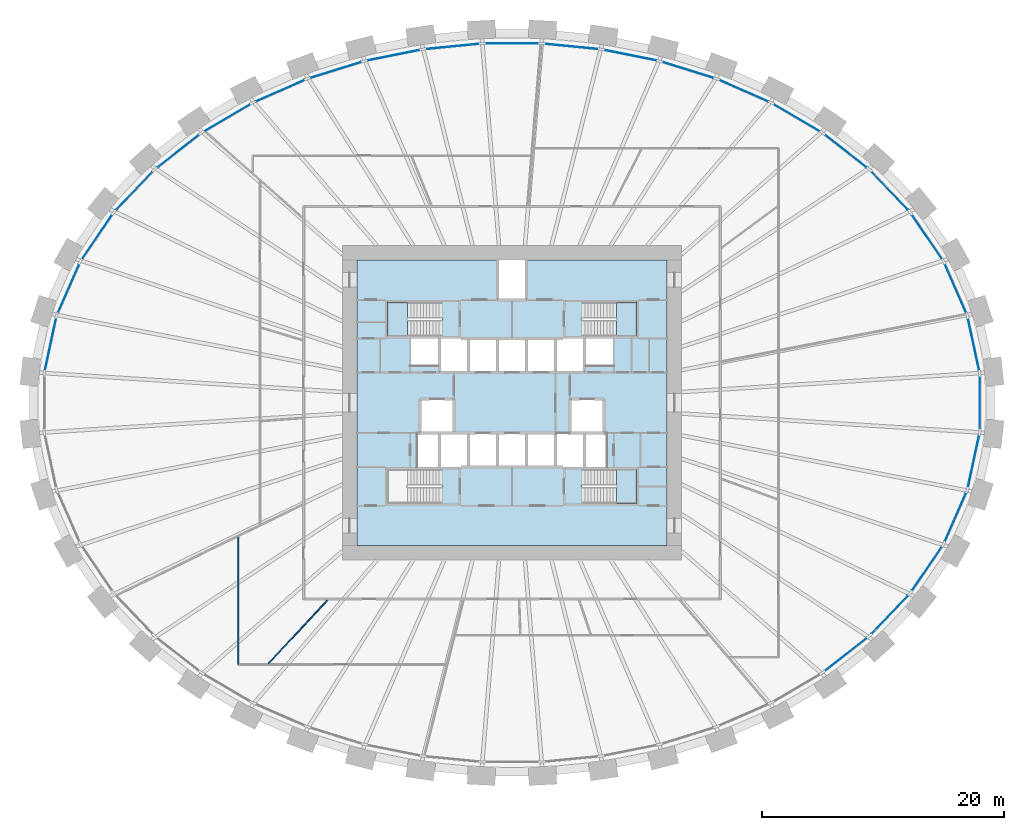
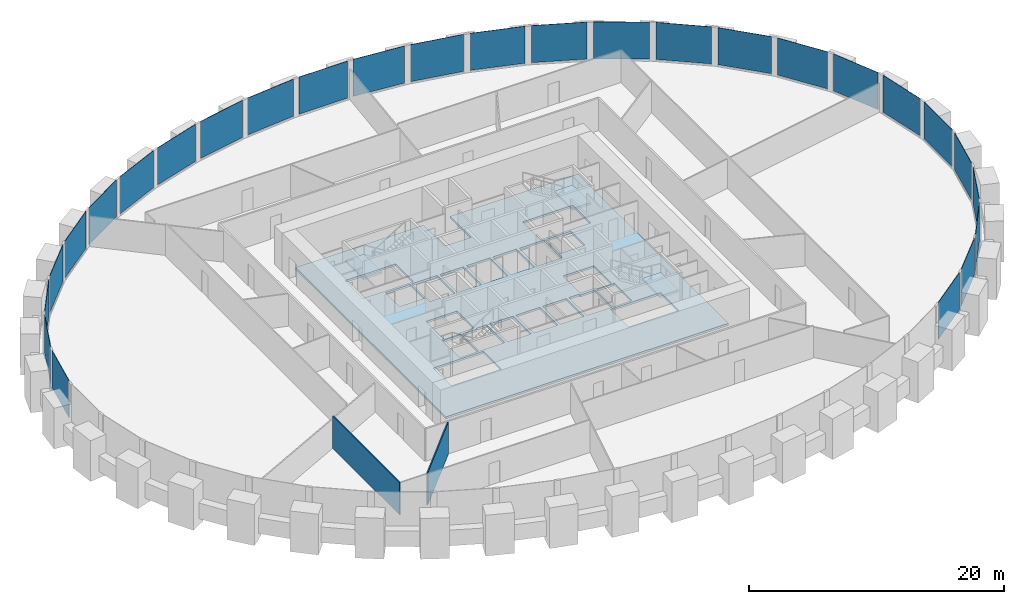
# One storey, part 5 of 10: 27 plates, 4 slabs, 2 walls, 4 elements without a shape of their own.
"""IFC4 building model written with IfcOpenShell, lengths in metres."""

from ifc_helpers import new_model, si_unit, direction, frame, frame_2d, origin, origin_2d, place, context, subcontext, project, spatial, polyline, rectangle, outline, extrude, source, transform, mapped, material, layer, layer_set, type_object, element, aggregate, save


model = new_model("IFC4")

# Units and contexts
model_context = context("Model", 3, precision=1e-05, world=origin(), true_north=direction((0.0, 1.0)))
body_context = subcontext(model_context, "Body", "Model", "MODEL_VIEW")
ifc_project = project(units=[si_unit("LENGTHUNIT", "METRE"), si_unit("AREAUNIT", "SQUARE_METRE"), si_unit("VOLUMEUNIT", "CUBIC_METRE"), si_unit("PLANEANGLEUNIT", "RADIAN"), si_unit("MASSUNIT", "GRAM", prefix="KILO")], contexts=[model_context])

# Site, building, storey
site_placement = place(None, origin())
site = spatial("IfcSite", under=ifc_project, at=site_placement, CompositionType="ELEMENT")
building_placement = place(site_placement, origin())
building = spatial("IfcBuilding", under=site, at=building_placement, Name="Embergate Tower", CompositionType="ELEMENT")
storey_placement = place(building_placement, frame((0.0, 0.0, 117.199951171875)))
storey = spatial("IfcBuildingStorey", under=building, at=storey_placement, Name="L25", CompositionType="ELEMENT", Elevation=117.199951171875)

# Curtain wall, plates
ifc_material_1 = material(Name="Aluminium and glass", Category="aluminium")
curtain_wall_type = type_object("IfcCurtainWallType", Name="Recessed office glazing", PredefinedType="NOTDEFINED", material=ifc_material_1)
curtain_wall_placement = place(storey_placement, origin())
curtain_wall = element("IfcCurtainWall", 1, at=curtain_wall_placement, inside=storey, type_object=curtain_wall_type, Name="Recessed office glazing ring", ObjectType="RECESSED OFFICE GLAZING", PredefinedType="USERDEFINED")
ifc_material_2 = material(Name="Triple glazing, low-emissivity coating", Category="glass")
ifc_layer_1 = layer(ifc_material_2, 0.035888671875)
ifc_layer_set_1 = layer_set([ifc_layer_1], Name="Triple glazing, low-emissivity coating")
plate_type = type_object("IfcPlateType", Name="Office glazing unit", PredefinedType="CURTAIN_PANEL", material=ifc_layer_set_1)
shared_shape_1 = source(origin(), body_context, "Body", "SweptSolid", [
    extrude(rectangle(XDim=4.37890625, YDim=0.035888671875, at=origin_2d()), origin(), (0.0, 0.0, 1.0), 3.550048828125),
])
plate_1_placement = place(storey_placement, frame((31.18408203125, 17.4873046875, 0.14990234375), z_axis=(0.0, 0.0, 1.0), x_axis=(-0.690129995266, 0.723685421737, 0.0)))
plate_1 = element("IfcPlate", 2, at=plate_1_placement, type_object=plate_type, Name="CW panel 4.1", PredefinedType="CURTAIN_PANEL", context=body_context, shape_type="MappedRepresentation", body=[
    mapped(shared_shape_1, transform((0.0, 0.0, 0.0))),
])
plate_2_placement = place(storey_placement, frame((-31.18408203125, 17.4873046875, 0.14990234375), z_axis=(0.0, 0.0, 1.0), x_axis=(-0.690129995266, -0.723685421737, 0.0)))
plate_2 = element("IfcPlate", 3, at=plate_2_placement, type_object=plate_type, Name="CW panel 18.1", PredefinedType="CURTAIN_PANEL", context=body_context, shape_type="MappedRepresentation", body=[
    mapped(shared_shape_1, transform((0.0, 0.0, 0.0))),
])
plate_3_placement = place(storey_placement, frame((31.18408203125, -17.4873046875, 0.14990234375), z_axis=(0.0, 0.0, 1.0), x_axis=(0.690129995266, 0.723685421737, 0.0)))
plate_3 = element("IfcPlate", 4, at=plate_3_placement, type_object=plate_type, Name="CW panel 40.1", PredefinedType="CURTAIN_PANEL", context=body_context, shape_type="MappedRepresentation", body=[
    mapped(shared_shape_1, transform((0.0, 0.0, 0.0))),
])
shared_shape_2 = source(origin(), body_context, "Body", "SweptSolid", [
    extrude(rectangle(XDim=4.354248046875, YDim=0.035888671875, at=origin_2d()), origin(), (0.0, 0.0, 1.0), 3.550048828125),
])
plate_4_placement = place(storey_placement, frame((38.09765625, 4.818359375, 0.14990234375), z_axis=(0.0, 0.0, 1.0), x_axis=(-0.210394978653, 0.977616465163, 0.0)))
plate_4 = element("IfcPlate", 5, at=plate_4_placement, type_object=plate_type, Name="CW panel 1.1", PredefinedType="CURTAIN_PANEL", context=body_context, shape_type="MappedRepresentation", body=[
    mapped(shared_shape_2, transform((0.0, 0.0, 0.0))),
])
plate_5_placement = place(storey_placement, frame((-38.09765625, 4.818359375, 0.14990234375), z_axis=(0.0, 0.0, 1.0), x_axis=(-0.210394978653, -0.977616465163, 0.0)))
plate_5 = element("IfcPlate", 6, at=plate_5_placement, type_object=plate_type, Name="CW panel 21.1", PredefinedType="CURTAIN_PANEL", context=body_context, shape_type="MappedRepresentation", body=[
    mapped(shared_shape_2, transform((0.0, 0.0, 0.0))),
])
plate_6_placement = place(storey_placement, frame((38.09765625, -4.818359375, 0.14990234375), z_axis=(0.0, 0.0, 1.0), x_axis=(0.210394978653, 0.977616465163, 0.0)))
plate_6 = element("IfcPlate", 7, at=plate_6_placement, type_object=plate_type, Name="CW panel 43.1", PredefinedType="CURTAIN_PANEL", context=body_context, shape_type="MappedRepresentation", body=[
    mapped(shared_shape_2, transform((0.0, 0.0, 0.0))),
])
shared_shape_3 = source(origin(), body_context, "Body", "SweptSolid", [
    extrude(rectangle(XDim=4.361083984375, YDim=0.035888671875, at=origin_2d()), origin(), (0.0, 0.0, 1.0), 3.550048828125),
])
plate_7_placement = place(storey_placement, frame((36.604736328125, 9.435791015625, 0.14990234375), z_axis=(0.0, 0.0, 1.0), x_axis=(-0.401647306074, 0.915794431913, 0.0)))
plate_7 = element("IfcPlate", 8, at=plate_7_placement, type_object=plate_type, Name="CW panel 2.1", PredefinedType="CURTAIN_PANEL", context=body_context, shape_type="MappedRepresentation", body=[
    mapped(shared_shape_3, transform((0.0, 0.0, 0.0))),
])
plate_8_placement = place(storey_placement, frame((-36.604736328125, 9.435791015625, 0.14990234375), z_axis=(0.0, 0.0, 1.0), x_axis=(-0.401647306074, -0.915794431913, 0.0)))
plate_8 = element("IfcPlate", 9, at=plate_8_placement, type_object=plate_type, Name="CW panel 20.1", PredefinedType="CURTAIN_PANEL", context=body_context, shape_type="MappedRepresentation", body=[
    mapped(shared_shape_3, transform((0.0, 0.0, 0.0))),
])
plate_9_placement = place(storey_placement, frame((36.604736328125, -9.435791015625, 0.14990234375), z_axis=(0.0, 0.0, 1.0), x_axis=(0.401647306074, 0.915794431913, 0.0)))
plate_9 = element("IfcPlate", 10, at=plate_9_placement, type_object=plate_type, Name="CW panel 42.1", PredefinedType="CURTAIN_PANEL", context=body_context, shape_type="MappedRepresentation", body=[
    mapped(shared_shape_3, transform((0.0, 0.0, 0.0))),
])
shared_shape_4 = source(origin(), body_context, "Body", "SweptSolid", [
    extrude(rectangle(XDim=4.3701171875, YDim=0.035888671875, at=origin_2d()), origin(), (0.0, 0.0, 1.0), 3.550048828125),
])
plate_10_placement = place(storey_placement, frame((34.24951171875, 13.69287109375, 0.14990234375), z_axis=(0.0, 0.0, 1.0), x_axis=(-0.562337412243, 0.826907875638, 0.0)))
plate_10 = element("IfcPlate", 11, at=plate_10_placement, type_object=plate_type, Name="CW panel 3.1", PredefinedType="CURTAIN_PANEL", context=body_context, shape_type="MappedRepresentation", body=[
    mapped(shared_shape_4, transform((0.0, 0.0, 0.0))),
])
plate_11_placement = place(storey_placement, frame((-34.24951171875, 13.69287109375, 0.14990234375), z_axis=(0.0, 0.0, 1.0), x_axis=(-0.562337412243, -0.826907875638, 0.0)))
plate_11 = element("IfcPlate", 12, at=plate_11_placement, type_object=plate_type, Name="CW panel 19.1", PredefinedType="CURTAIN_PANEL", context=body_context, shape_type="MappedRepresentation", body=[
    mapped(shared_shape_4, transform((0.0, 0.0, 0.0))),
])
plate_12_placement = place(storey_placement, frame((34.24951171875, -13.69287109375, 0.14990234375), z_axis=(0.0, 0.0, 1.0), x_axis=(0.562337412243, 0.826907875638, 0.0)))
plate_12 = element("IfcPlate", 13, at=plate_12_placement, type_object=plate_type, Name="CW panel 41.1", PredefinedType="CURTAIN_PANEL", context=body_context, shape_type="MappedRepresentation", body=[
    mapped(shared_shape_4, transform((0.0, 0.0, 0.0))),
])
shared_shape_5 = source(origin(), body_context, "Body", "SweptSolid", [
    extrude(rectangle(XDim=4.386474609375, YDim=0.035888671875, at=origin_2d()), origin(), (0.0, 0.0, 1.0), 3.550048828125),
])
plate_13_placement = place(storey_placement, frame((27.559814453125, 20.769287109375, 0.14990234375), z_axis=(0.0, 0.0, 1.0), x_axis=(-0.788316897722, 0.615269427784, 0.0)))
plate_13 = element("IfcPlate", 14, at=plate_13_placement, type_object=plate_type, Name="CW panel 5.1", PredefinedType="CURTAIN_PANEL", context=body_context, shape_type="MappedRepresentation", body=[
    mapped(shared_shape_5, transform((0.0, 0.0, 0.0))),
])
plate_14_placement = place(storey_placement, frame((-27.559814453125, 20.769287109375, 0.14990234375), z_axis=(0.0, 0.0, 1.0), x_axis=(-0.788316897722, -0.615269427784, 0.0)))
plate_14 = element("IfcPlate", 15, at=plate_14_placement, type_object=plate_type, Name="CW panel 17.1", PredefinedType="CURTAIN_PANEL", context=body_context, shape_type="MappedRepresentation", body=[
    mapped(shared_shape_5, transform((0.0, 0.0, 0.0))),
])
plate_15_placement = place(storey_placement, frame((27.559814453125, -20.769287109375, 0.14990234375), z_axis=(0.0, 0.0, 1.0), x_axis=(0.788316897722, 0.615269427784, 0.0)))
plate_15 = element("IfcPlate", 16, at=plate_15_placement, type_object=plate_type, Name="CW panel 39.1", PredefinedType="CURTAIN_PANEL", context=body_context, shape_type="MappedRepresentation", body=[
    mapped(shared_shape_5, transform((0.0, 0.0, 0.0))),
])
shared_shape_6 = source(origin(), body_context, "Body", "SweptSolid", [
    extrude(rectangle(XDim=4.392333984375, YDim=0.035888671875, at=origin_2d()), origin(), (0.0, 0.0, 1.0), 3.550048828125),
])
plate_16_placement = place(storey_placement, frame((23.508544921875, 23.5234375, 0.14990234375), z_axis=(0.0, 0.0, 1.0), x_axis=(-0.862050514108, 0.506822366443, 0.0)))
plate_16 = element("IfcPlate", 17, at=plate_16_placement, type_object=plate_type, Name="CW panel 6.1", PredefinedType="CURTAIN_PANEL", context=body_context, shape_type="MappedRepresentation", body=[
    mapped(shared_shape_6, transform((0.0, 0.0, 0.0))),
])
plate_17_placement = place(storey_placement, frame((-23.508544921875, 23.5234375, 0.14990234375), z_axis=(0.0, 0.0, 1.0), x_axis=(-0.862050514108, -0.506822366443, 0.0)))
plate_17 = element("IfcPlate", 18, at=plate_17_placement, type_object=plate_type, Name="CW panel 16.1", PredefinedType="CURTAIN_PANEL", context=body_context, shape_type="MappedRepresentation", body=[
    mapped(shared_shape_6, transform((0.0, 0.0, 0.0))),
])
shared_shape_7 = source(origin(), body_context, "Body", "SweptSolid", [
    extrude(rectangle(XDim=4.39697265625, YDim=0.035888671875, at=origin_2d()), origin(), (0.0, 0.0, 1.0), 3.550048828125),
])
plate_18_placement = place(storey_placement, frame((19.138671875, 25.75341796875, 0.14990234375), z_axis=(0.0, 0.0, 1.0), x_axis=(-0.91623411399, 0.400643293168, 0.0)))
plate_18 = element("IfcPlate", 19, at=plate_18_placement, type_object=plate_type, Name="CW panel 7.1", PredefinedType="CURTAIN_PANEL", context=body_context, shape_type="MappedRepresentation", body=[
    mapped(shared_shape_7, transform((0.0, 0.0, 0.0))),
])
plate_19_placement = place(storey_placement, frame((-19.138671875, 25.75341796875, 0.14990234375), z_axis=(0.0, 0.0, 1.0), x_axis=(-0.91623411399, -0.400643293168, 0.0)))
plate_19 = element("IfcPlate", 20, at=plate_19_placement, type_object=plate_type, Name="CW panel 15.1", PredefinedType="CURTAIN_PANEL", context=body_context, shape_type="MappedRepresentation", body=[
    mapped(shared_shape_7, transform((0.0, 0.0, 0.0))),
])
shared_shape_8 = source(origin(), body_context, "Body", "SweptSolid", [
    extrude(rectangle(XDim=4.400146484375, YDim=0.035888671875, at=origin_2d()), origin(), (0.0, 0.0, 1.0), 3.550048828125),
])
plate_20_placement = place(storey_placement, frame((14.537353515625, 27.4697265625, 0.14990234375), z_axis=(0.0, 0.0, 1.0), x_axis=(-0.954771179262, 0.297341546458, 0.0)))
plate_20 = element("IfcPlate", 21, at=plate_20_placement, type_object=plate_type, Name="CW panel 8.1", PredefinedType="CURTAIN_PANEL", context=body_context, shape_type="MappedRepresentation", body=[
    mapped(shared_shape_8, transform((0.0, 0.0, 0.0))),
])
plate_21_placement = place(storey_placement, frame((-14.537353515625, 27.4697265625, 0.14990234375), z_axis=(0.0, 0.0, 1.0), x_axis=(-0.954771179262, -0.297341546458, 0.0)))
plate_21 = element("IfcPlate", 22, at=plate_21_placement, type_object=plate_type, Name="CW panel 14.1", PredefinedType="CURTAIN_PANEL", context=body_context, shape_type="MappedRepresentation", body=[
    mapped(shared_shape_8, transform((0.0, 0.0, 0.0))),
])
shared_shape_9 = source(origin(), body_context, "Body", "SweptSolid", [
    extrude(rectangle(XDim=4.40234375, YDim=0.035888671875, at=origin_2d()), origin(), (0.0, 0.0, 1.0), 3.550048828125),
])
plate_22_placement = place(storey_placement, frame((9.775390625, 28.685302734375, 0.14990234375), z_axis=(0.0, 0.0, 1.0), x_axis=(-0.980475221003, 0.196642673395, 0.0)))
plate_22 = element("IfcPlate", 23, at=plate_22_placement, type_object=plate_type, Name="CW panel 9.1", PredefinedType="CURTAIN_PANEL", context=body_context, shape_type="MappedRepresentation", body=[
    mapped(shared_shape_9, transform((0.0, 0.0, 0.0))),
])
plate_23_placement = place(storey_placement, frame((-9.775390625, 28.685302734375, 0.14990234375), z_axis=(0.0, 0.0, 1.0), x_axis=(-0.980475221003, -0.196642673395, 0.0)))
plate_23 = element("IfcPlate", 24, at=plate_23_placement, type_object=plate_type, Name="CW panel 13.1", PredefinedType="CURTAIN_PANEL", context=body_context, shape_type="MappedRepresentation", body=[
    mapped(shared_shape_9, transform((0.0, 0.0, 0.0))),
])
shared_shape_10 = source(origin(), body_context, "Body", "SweptSolid", [
    extrude(rectangle(XDim=4.40380859375, YDim=0.035888671875, at=origin_2d()), origin(), (0.0, 0.0, 1.0), 3.550048828125),
])
plate_24_placement = place(storey_placement, frame((4.912109375, 29.41015625, 0.14990234375), z_axis=(0.0, 0.0, 1.0), x_axis=(-0.995203014042, 0.097831287645, 0.0)))
plate_24 = element("IfcPlate", 25, at=plate_24_placement, type_object=plate_type, Name="CW panel 10.1", PredefinedType="CURTAIN_PANEL", context=body_context, shape_type="MappedRepresentation", body=[
    mapped(shared_shape_10, transform((0.0, 0.0, 0.0))),
])
plate_25_placement = place(storey_placement, frame((-4.912109375, 29.41015625, 0.14990234375), z_axis=(0.0, 0.0, 1.0), x_axis=(-0.995203014042, -0.097831287645, 0.0)))
plate_25 = element("IfcPlate", 26, at=plate_25_placement, type_object=plate_type, Name="CW panel 12.1", PredefinedType="CURTAIN_PANEL", context=body_context, shape_type="MappedRepresentation", body=[
    mapped(shared_shape_10, transform((0.0, 0.0, 0.0))),
])
shared_shape_11 = source(origin(), body_context, "Body", "SweptSolid", [
    extrude(rectangle(XDim=4.404052734375, YDim=0.035888671875, at=origin_2d()), origin(), (0.0, 0.0, 1.0), 3.550048828125),
])
plate_26_placement = place(storey_placement, frame((0.0, 29.65087890625, 0.14990234375), z_axis=(0.0, 0.0, 1.0), x_axis=(-1.0, 0.0, 0.0)))
plate_26 = element("IfcPlate", 27, at=plate_26_placement, type_object=plate_type, Name="CW panel 11.1", PredefinedType="CURTAIN_PANEL", context=body_context, shape_type="MappedRepresentation", body=[
    mapped(shared_shape_11, transform((0.0, 0.0, 0.0))),
])
shared_shape_12 = source(origin(), body_context, "Body", "SweptSolid", [
    extrude(rectangle(XDim=4.3515625, YDim=0.035888671875, at=origin_2d()), origin(), (0.0, 0.0, 1.0), 3.550048828125),
])
plate_27_placement = place(storey_placement, frame((38.610595703125, 0.0, 0.14990234375), z_axis=(0.0, 0.0, 1.0), x_axis=(0.0, 1.0, 0.0)))
plate_27 = element("IfcPlate", 28, at=plate_27_placement, type_object=plate_type, Name="CW panel 44.1", PredefinedType="CURTAIN_PANEL", context=body_context, shape_type="MappedRepresentation", body=[
    mapped(shared_shape_12, transform((0.0, 0.0, 0.0))),
])
aggregate(curtain_wall, [plate_4, plate_7, plate_10, plate_1, plate_13, plate_16, plate_18, plate_20, plate_22, plate_24, plate_26, plate_25, plate_23, plate_21, plate_19, plate_17, plate_14, plate_2, plate_11, plate_8, plate_5, plate_15, plate_3, plate_12, plate_9, plate_6, plate_27])

# Stair, slab
ifc_material_3 = material(Name="Exit stair")
stair_type = type_object("IfcStairType", Name="Exit stair", PredefinedType="HALF_TURN_STAIR", material=ifc_material_3)
stair_1_placement = place(storey_placement, origin())
stair_1 = element("IfcStair", 29, at=stair_1_placement, inside=storey, type_object=stair_type, Name="L25 Exit stair 1", PredefinedType="HALF_TURN_STAIR")
ifc_material_4 = material(Name="Concrete C40", Category="concrete")
ifc_layer_2 = layer(ifc_material_4, 0.199951171875)
ifc_layer_set_2 = layer_set([ifc_layer_2], Name="Concrete C40")
slab_type_1 = type_object("IfcSlabType", Name="Stair landing reinforced concrete", PredefinedType="LANDING", material=ifc_layer_set_2)
shared_shape_13 = source(origin(), body_context, "Body", "SweptSolid", [
    extrude(outline(polyline([(0.0, 0.0), (1.68994140625, 0.0), (1.68994140625, 2.800048828125), (0.0, 2.800048828125), (0.0, 0.0)])), origin(), (0.0, 0.0, 1.0), 0.199951171875),
])
slab_1_placement = place(storey_placement, frame((-10.300048828125, 5.5, 1.75)))
slab_1 = element("IfcSlab", 30, at=slab_1_placement, type_object=slab_type_1, Name="ST1 landing 1", PredefinedType="LANDING", context=body_context, shape_type="MappedRepresentation", body=[
    mapped(shared_shape_13, transform((0.0, 0.0, 0.0))),
])
aggregate(stair_1, [slab_1])

stair_2_placement = place(storey_placement, origin())
stair_2 = element("IfcStair", 31, at=stair_2_placement, inside=storey, type_object=stair_type, Name="L25 Exit stair 2", PredefinedType="HALF_TURN_STAIR")
slab_2_placement = place(storey_placement, frame((8.610107421875, 5.5, 1.75)))
slab_2 = element("IfcSlab", 32, at=slab_2_placement, type_object=slab_type_1, Name="ST2 landing 1", PredefinedType="LANDING", context=body_context, shape_type="MappedRepresentation", body=[
    mapped(shared_shape_13, transform((0.0, 0.0, 0.0))),
])
aggregate(stair_2, [slab_2])

stair_3_placement = place(storey_placement, origin())
stair_3 = element("IfcStair", 33, at=stair_3_placement, inside=storey, type_object=stair_type, Name="L25 Exit stair 4", PredefinedType="HALF_TURN_STAIR")
slab_3_placement = place(storey_placement, frame((8.610107421875, -8.300048828125, 1.75)))
slab_3 = element("IfcSlab", 34, at=slab_3_placement, type_object=slab_type_1, Name="ST4 landing 1", PredefinedType="LANDING", context=body_context, shape_type="MappedRepresentation", body=[
    mapped(shared_shape_13, transform((0.0, 0.0, 0.0))),
])
aggregate(stair_3, [slab_3])

# Slab
ifc_layer_3 = layer(ifc_material_4, 0.199951171875)
ifc_layer_set_3 = layer_set([ifc_layer_3], Name="Concrete C40")
slab_type_2 = type_object("IfcSlabType", Name="Core floor slab 200 reinforced concrete", PredefinedType="FLOOR", material=ifc_layer_set_3)
shared_shape_14 = source(origin(), body_context, "Body", "SweptSolid", [
    extrude(outline(polyline([(0.0, 0.0), (25.60009765625, 0.0), (25.60009765625, 23.60009765625), (14.0, 23.60009765625), (14.0, 20.300048828125), (11.60009765625, 20.300048828125), (11.60009765625, 23.60009765625), (0.0, 23.60009765625), (0.0, 0.0)]), holes=[polyline([(2.5, 3.5), (2.5, 6.300048828125), (7.0400390625, 6.300048828125), (7.0400390625, 3.5), (2.5, 3.5)]), polyline([(18.56005859375, 3.5), (18.56005859375, 6.300048828125), (23.10009765625, 6.300048828125), (23.10009765625, 3.5), (18.56005859375, 3.5)]), polyline([(5.0, 6.5), (5.0, 9.300048828125), (5.074951171875, 9.300048828125), (5.074951171875, 9.175048828125), (6.675048828125, 9.175048828125), (6.675048828125, 6.5), (5.0, 6.5)]), polyline([(6.800048828125, 6.5), (6.800048828125, 9.175048828125), (8.125, 9.175048828125), (8.125, 9.300048828125), (9.074951171875, 9.300048828125), (9.074951171875, 6.5), (6.800048828125, 6.5)]), polyline([(9.324951171875, 6.5), (9.324951171875, 9.300048828125), (11.47509765625, 9.300048828125), (11.47509765625, 6.5), (9.324951171875, 6.5)]), polyline([(11.72509765625, 6.5), (11.72509765625, 9.300048828125), (13.875, 9.300048828125), (13.875, 6.5), (11.72509765625, 6.5)]), polyline([(14.125, 6.5), (14.125, 9.300048828125), (16.275146484375, 9.300048828125), (16.275146484375, 6.5), (14.125, 6.5)]), polyline([(16.525146484375, 6.5), (16.525146484375, 9.300048828125), (17.47509765625, 9.300048828125), (17.47509765625, 9.175048828125), (18.800048828125, 9.175048828125), (18.800048828125, 6.5), (16.525146484375, 6.5)]), polyline([(18.925048828125, 6.5), (18.925048828125, 9.175048828125), (20.525146484375, 9.175048828125), (20.525146484375, 9.300048828125), (20.60009765625, 9.300048828125), (20.60009765625, 6.5), (18.925048828125, 6.5)]), polyline([(5.199951171875, 9.300048828125), (5.199951171875, 12.10009765625), (8.0, 12.10009765625), (8.0, 9.425048828125), (6.675048828125, 9.425048828125), (6.675048828125, 9.300048828125), (5.199951171875, 9.300048828125)]), polyline([(18.925048828125, 9.300048828125), (18.925048828125, 9.425048828125), (17.60009765625, 9.425048828125), (17.60009765625, 12.10009765625), (20.400146484375, 12.10009765625), (20.400146484375, 9.300048828125), (18.925048828125, 9.300048828125)]), polyline([(6.800048828125, 14.300048828125), (6.800048828125, 17.10009765625), (9.074951171875, 17.10009765625), (9.074951171875, 14.300048828125), (6.800048828125, 14.300048828125)]), polyline([(9.324951171875, 14.300048828125), (9.324951171875, 17.10009765625), (11.47509765625, 17.10009765625), (11.47509765625, 14.300048828125), (9.324951171875, 14.300048828125)]), polyline([(11.72509765625, 14.300048828125), (11.72509765625, 17.10009765625), (13.875, 17.10009765625), (13.875, 14.300048828125), (11.72509765625, 14.300048828125)]), polyline([(14.125, 14.300048828125), (14.125, 17.10009765625), (16.275146484375, 17.10009765625), (16.275146484375, 14.300048828125), (14.125, 14.300048828125)]), polyline([(16.525146484375, 14.300048828125), (16.525146484375, 17.10009765625), (18.800048828125, 17.10009765625), (18.800048828125, 14.300048828125), (16.525146484375, 14.300048828125)]), polyline([(4.400146484375, 14.900146484375), (4.400146484375, 17.10009765625), (6.675048828125, 17.10009765625), (6.675048828125, 14.900146484375), (4.400146484375, 14.900146484375)]), polyline([(18.925048828125, 14.900146484375), (18.925048828125, 17.10009765625), (21.199951171875, 17.10009765625), (21.199951171875, 14.900146484375), (18.925048828125, 14.900146484375)]), polyline([(2.5, 17.300048828125), (2.5, 20.10009765625), (7.0400390625, 20.10009765625), (7.0400390625, 17.300048828125), (2.5, 17.300048828125)]), polyline([(18.56005859375, 17.300048828125), (18.56005859375, 20.10009765625), (23.10009765625, 20.10009765625), (23.10009765625, 17.300048828125), (18.56005859375, 17.300048828125)])]), origin(), (0.0, 0.0, 1.0), 0.199951171875),
])
slab_4_placement = place(storey_placement, frame((-12.800048828125, -11.800048828125, -0.199951171875)))
element("IfcSlab", 35, at=slab_4_placement, inside=storey, type_object=slab_type_2, Name="Core floor slab", PredefinedType="FLOOR", context=body_context, shape_type="MappedRepresentation", body=[
    mapped(shared_shape_14, transform((0.0, 0.0, 0.0))),
])

# Walls
ifc_material_5 = material(Name="Partition dry-lined 100")
ifc_layer_4 = layer(ifc_material_5, 0.10009765625)
ifc_layer_set_4 = layer_set([ifc_layer_4], Name="Partition dry-lined 100")
wall_type = type_object("IfcWallType", Name="Partition dry-lined 100", PredefinedType="PARTITIONING", material=ifc_layer_set_4)
shared_shape_15 = source(origin(), body_context, "Body", "SweptSolid", [
    extrude(rectangle(XDim=7.12548828125, YDim=0.10009765625, at=frame_2d((3.562744140625, 0.0))), origin(), (0.0, 0.0, 1.0), 3.10009765625),
])
wall_1_placement = place(storey_placement, frame((-15.238037109375, -16.30908203125, 0.0), z_axis=(0.0, 0.0, 1.0), x_axis=(-0.682627047172, -0.730766935807, 0.0)))
element("IfcWall", 36, at=wall_1_placement, inside=storey, type_object=wall_type, Name="IP-1 wall", PredefinedType="PARTITIONING", context=body_context, shape_type="MappedRepresentation", body=[
    mapped(shared_shape_15, transform((0.0, 0.0, 0.0))),
])
shared_shape_16 = source(origin(), body_context, "Body", "SweptSolid", [
    extrude(rectangle(XDim=10.51806640625, YDim=0.10009765625, at=frame_2d((5.259033203125, 0.0))), origin(), (0.0, 0.0, 1.0), 3.10009765625),
])
wall_2_placement = place(storey_placement, frame((-22.60009765625, -11.08203125, 0.0), z_axis=(0.0, 0.0, 1.0), x_axis=(0.0, -1.0, 0.0)))
element("IfcWall", 37, at=wall_2_placement, inside=storey, type_object=wall_type, Name="IP-1 wall", PredefinedType="PARTITIONING", context=body_context, shape_type="MappedRepresentation", body=[
    mapped(shared_shape_16, transform((0.0, 0.0, 0.0))),
])

save(model, "model.ifc")
